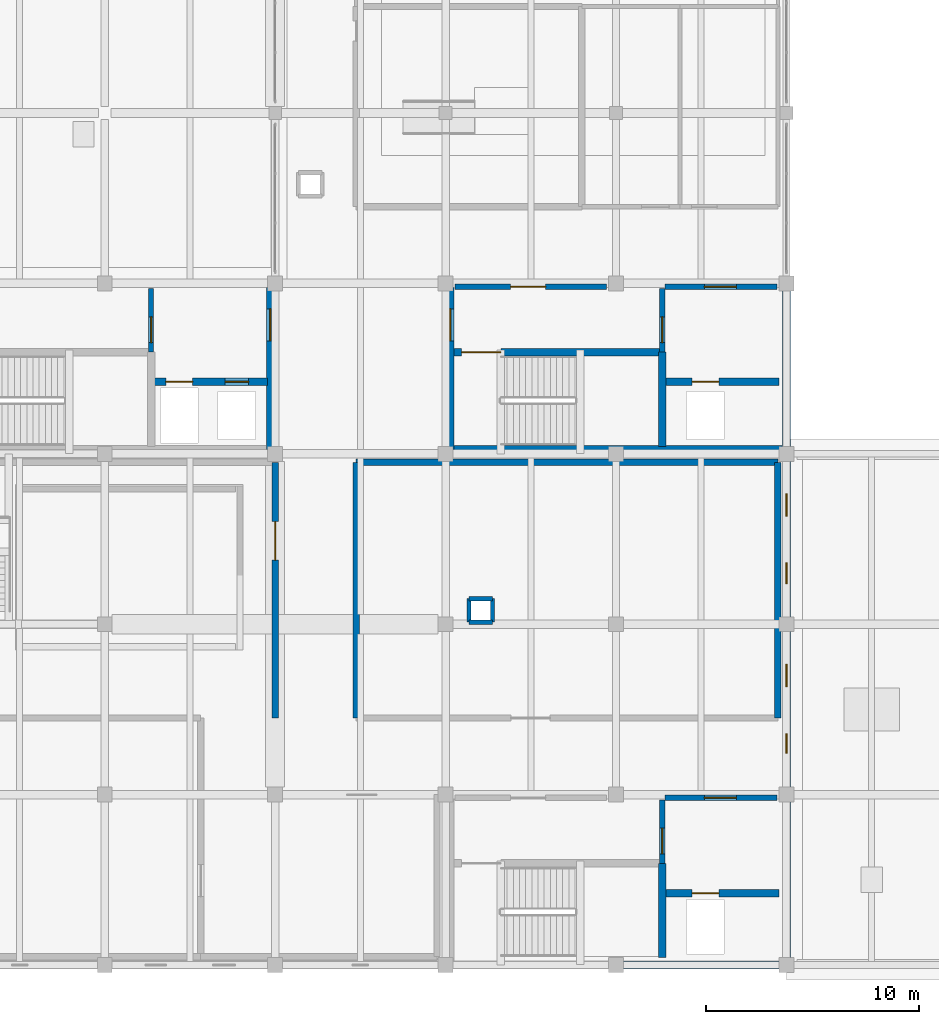
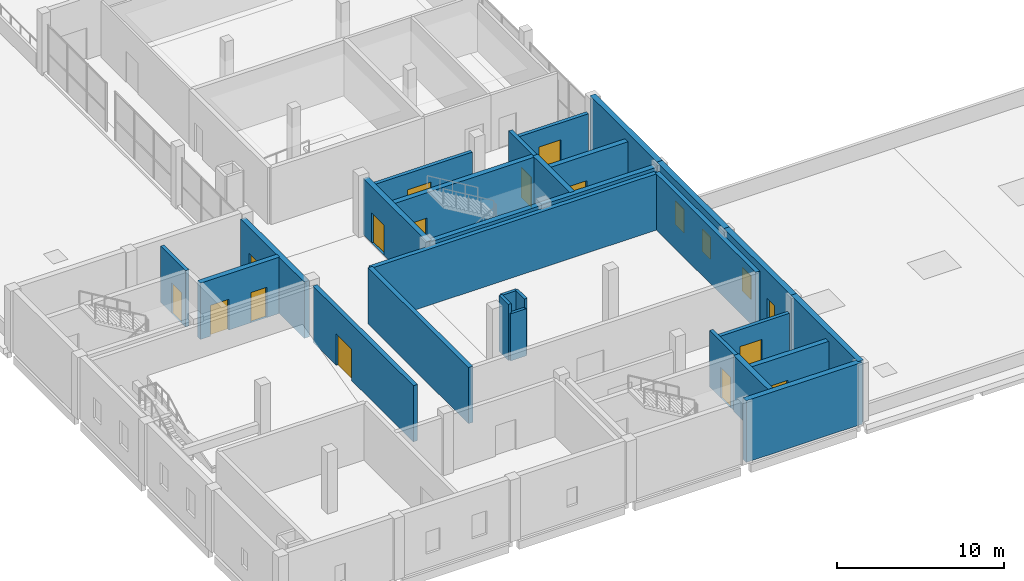
# One storey, part 10 of 14: 28 walls, 14 doors, 4 windows, 18 openings.
"""IFC4 building model written with IfcOpenShell, lengths in metres."""

from ifc_helpers import new_model, si_unit, direction, frame, frame_2d, origin, place, context, subcontext, project, spatial, rectangle, extrude, material, layer, layer_set, type_object, element, fill, save


model = new_model("IFC4")

# Units and contexts
model_context = context("Model", 3, precision=1e-05, world=origin(), true_north=direction((0.0, 1.0)))
body_context = subcontext(model_context, "Body", "Model", "MODEL_VIEW")
ifc_project = project(units=[si_unit("LENGTHUNIT", "METRE"), si_unit("AREAUNIT", "SQUARE_METRE"), si_unit("VOLUMEUNIT", "CUBIC_METRE"), si_unit("PLANEANGLEUNIT", "RADIAN"), si_unit("MASSUNIT", "GRAM", prefix="KILO")], contexts=[model_context])

# Site, building, storey
site_placement = place(None, origin())
site = spatial("IfcSite", under=ifc_project, at=site_placement, CompositionType="ELEMENT")
building_placement = place(site_placement, origin())
building = spatial("IfcBuilding", under=site, at=building_placement, Name="Qorikala Patio Media Centre", CompositionType="ELEMENT")
storey_placement = place(building_placement, frame((0.0, 0.0, 23.39990234375)))
storey = spatial("IfcBuildingStorey", under=building, at=storey_placement, Name="L05", CompositionType="ELEMENT", Elevation=23.39990234375)

# Wall, opening, door
ifc_material_1 = material(Name="Concrete C35/45", Category="concrete")
ifc_layer_1 = layer(ifc_material_1, 0.300048828125)
ifc_layer_set_1 = layer_set([ifc_layer_1], Name="Concrete C35/45")
wall_type_1 = type_object("IfcWallType", Name="WL-AC-300", PredefinedType="SHEAR", material=ifc_layer_set_1)
wall_1_placement = place(storey_placement, frame((19.0, 14.60009765625, 0.0), z_axis=(0.0, 0.0, 1.0), x_axis=(0.0, 1.0, 0.0)))
wall_1 = element("IfcWall", 1, at=wall_1_placement, inside=storey, type_object=wall_type_1, Name="L05 Interior Wall WINT-L05-SCR7-E", PredefinedType="SHEAR", context=body_context, shape_type="SweptSolid", body=[
    extrude(rectangle(XDim=12.0, YDim=0.300048828125, at=frame_2d((6.0, 0.0))), origin(), (0.0, 0.0, 1.0), 4.10009765625),
])
opening_1_placement = place(wall_1_placement, frame((7.4130859375, 0.0, 0.0)))
opening_1 = element("IfcOpeningElement", 2, at=opening_1_placement, cuts=wall_1, Name="Opening D314", PredefinedType="OPENING", context=body_context, shape_type="SweptSolid", body=[
    extrude(rectangle(XDim=1.800048828125, YDim=2.300048828125, at=frame_2d((0.89990234375, 1.14990234375))), frame((0.0, 0.159912109375, 0.0), z_axis=(0.0, -1.0, 0.0), x_axis=(1.0, 0.0, 0.0)), (0.0, 0.0, 1.0), 0.320068359375),
])
ifc_material_2 = material(Name="Powder-Coated Acoustic Fire Steel", Category="steel")
door_type_1 = type_object("IfcDoorType", Name="DR-FD90-180X230", OperationType="DOUBLE_DOOR_SINGLE_SWING", PredefinedType="DOOR", material=ifc_material_2)
door_1_placement = place(opening_1_placement, origin())
door_1 = element("IfcDoor", 3, at=door_1_placement, inside=storey, type_object=door_type_1, Name="Premiere Cinema Hall Screen 7 Door 103", OperationType="DOUBLE_DOOR_SINGLE_SWING", OverallHeight=2.300048828125, OverallWidth=1.800048828125, PredefinedType="DOOR", context=body_context, shape_type="SweptSolid", body=[
    extrude(rectangle(XDim=1.800048828125, YDim=2.300048828125, at=frame_2d((0.89990234375, 1.14990234375))), frame((0.0, 0.02490234375, 0.0), z_axis=(0.0, -1.0, 0.0), x_axis=(1.0, 0.0, 0.0)), (0.0, 0.0, 1.0), 0.050048828125),
])
fill(opening_1, door_1)

# Walls
wall_2_placement = place(storey_placement, frame((42.60009765625, 14.60009765625, 0.0), z_axis=(0.0, 0.0, 1.0), x_axis=(0.0, 1.0, 0.0)))
element("IfcWall", 4, at=wall_2_placement, inside=storey, type_object=wall_type_1, Name="L05 Interior Wall WINT-L05-PRJ5-E", PredefinedType="SHEAR", context=body_context, shape_type="SweptSolid", body=[
    extrude(rectangle(XDim=12.0, YDim=0.300048828125, at=frame_2d((6.0, 0.0))), origin(), (0.0, 0.0, 1.0), 4.10009765625),
])
wall_3_placement = place(storey_placement, frame((22.800048828125, 26.60009765625, 0.0), z_axis=(0.0, 0.0, 1.0), x_axis=(1.0, 0.0, 0.0)))
element("IfcWall", 5, at=wall_3_placement, inside=storey, type_object=wall_type_1, Name="L05 Interior Wall WINT-L05-PRJ5-N", PredefinedType="SHEAR", context=body_context, shape_type="SweptSolid", body=[
    extrude(rectangle(XDim=19.800048828125, YDim=0.300048828125, at=frame_2d((9.89990234375, 0.0))), origin(), (0.0, 0.0, 1.0), 4.10009765625),
])
wall_4_placement = place(storey_placement, frame((22.800048828125, 14.60009765625, 0.0), z_axis=(0.0, 0.0, 1.0), x_axis=(0.0, 1.0, 0.0)))
element("IfcWall", 6, at=wall_4_placement, inside=storey, type_object=wall_type_1, Name="L05 Interior Wall WINT-L05-PRJ5-W", PredefinedType="SHEAR", context=body_context, shape_type="SweptSolid", body=[
    extrude(rectangle(XDim=12.0, YDim=0.300048828125, at=frame_2d((6.0, 0.0))), origin(), (0.0, 0.0, 1.0), 4.10009765625),
])
ifc_layer_2 = layer(ifc_material_1, 0.35009765625)
ifc_layer_set_2 = layer_set([ifc_layer_2], Name="Concrete C35/45")
wall_type_2 = type_object("IfcWallType", Name="WL-CORE-350", PredefinedType="SHEAR", material=ifc_layer_set_2)
wall_5_placement = place(storey_placement, frame((37.175048828125, 3.35009765625, 0.0), z_axis=(0.0, 0.0, 1.0), x_axis=(0.0, 1.0, 0.0)))
element("IfcWall", 7, at=wall_5_placement, inside=storey, type_object=wall_type_2, Name="L05 Interior Wall CW-L05-C1-SE", PredefinedType="SHEAR", context=body_context, shape_type="SweptSolid", body=[
    extrude(rectangle(XDim=4.4248046875, YDim=0.35009765625, at=frame_2d((2.21240234375, 0.0))), origin(), (0.0, 0.0, 1.0), 4.10009765625),
])

# Wall, opening, door
wall_6_placement = place(storey_placement, frame((37.175048828125, 6.375, 0.0), z_axis=(0.0, 0.0, 1.0), x_axis=(1.0, 0.0, 0.0)))
wall_6 = element("IfcWall", 8, at=wall_6_placement, inside=storey, type_object=wall_type_2, Name="L05 Interior Wall CW-L05-C1-LFN", PredefinedType="SHEAR", context=body_context, shape_type="SweptSolid", body=[
    extrude(rectangle(XDim=5.474853515625, YDim=0.35009765625, at=frame_2d((2.7373046875, 0.0))), origin(), (0.0, 0.0, 1.0), 4.10009765625),
])
opening_2_placement = place(wall_6_placement, frame((1.39990234375, 0.0, 0.0)))
opening_2 = element("IfcOpeningElement", 9, at=opening_2_placement, cuts=wall_6, Name="Opening LD07", PredefinedType="OPENING", context=body_context, shape_type="SweptSolid", body=[
    extrude(rectangle(XDim=1.25, YDim=2.25, at=frame_2d((0.625, 1.125))), frame((0.0, 0.18505859375, 0.0), z_axis=(0.0, -1.0, 0.0), x_axis=(1.0, 0.0, 0.0)), (0.0, 0.0, 1.0), 0.3701171875),
])
ifc_material_3 = material(Name="Brushed Bronze Stainless Steel", Category="steel")
door_type_2 = type_object("IfcDoorType", Name="DR-LD-125X225", OperationType="DOUBLE_DOOR_SLIDING", PredefinedType="DOOR", material=ifc_material_3)
door_2_placement = place(opening_2_placement, origin())
door_2 = element("IfcDoor", 10, at=door_2_placement, inside=storey, type_object=door_type_2, Name="L05 Lift LF-01 Sliding Landing Door", OperationType="DOUBLE_DOOR_SLIDING", OverallHeight=2.25, OverallWidth=1.25, PredefinedType="DOOR", context=body_context, shape_type="SweptSolid", body=[
    extrude(rectangle(XDim=1.25, YDim=2.25, at=frame_2d((0.625, 1.125))), frame((0.0, 0.02490234375, 0.0), z_axis=(0.0, -1.0, 0.0), x_axis=(1.0, 0.0, 0.0)), (0.0, 0.0, 1.0), 0.050048828125),
])
fill(opening_2, door_2)

wall_7_placement = place(storey_placement, frame((18.77490234375, 27.199951171875, 0.0), z_axis=(0.0, 0.0, 1.0), x_axis=(0.0, 1.0, 0.0)))
wall_7 = element("IfcWall", 11, at=wall_7_placement, inside=storey, type_object=wall_type_2, Name="L05 Interior Wall CW-L05-C2-EE", PredefinedType="SHEAR", context=body_context, shape_type="SweptSolid", body=[
    extrude(rectangle(XDim=7.60009765625, YDim=0.35009765625, at=frame_2d((3.800048828125, 0.0))), origin(), (0.0, 0.0, 1.0), 4.10009765625),
])
opening_3_placement = place(wall_7_placement, frame((5.10009765625, 0.0, 0.0)))
opening_3 = element("IfcOpeningElement", 12, at=opening_3_placement, cuts=wall_7, Name="Opening D087", PredefinedType="OPENING", context=body_context, shape_type="SweptSolid", body=[
    extrude(rectangle(XDim=1.5, YDim=2.199951171875, at=frame_2d((0.75, 1.10009765625))), frame((0.0, 0.18505859375, 0.0), z_axis=(0.0, -1.0, 0.0), x_axis=(1.0, 0.0, 0.0)), (0.0, 0.0, 1.0), 0.3701171875),
])
door_type_3 = type_object("IfcDoorType", Name="DR-FD60-150X220", OperationType="DOUBLE_DOOR_SINGLE_SWING", PredefinedType="DOOR", material=ifc_material_2)
door_3_placement = place(opening_3_placement, origin())
door_3 = element("IfcDoor", 13, at=door_3_placement, inside=storey, type_object=door_type_3, Name="L05 Core C2 East Corridor Fire Door", OperationType="DOUBLE_DOOR_SINGLE_SWING", OverallHeight=2.199951171875, OverallWidth=1.5, PredefinedType="DOOR", context=body_context, shape_type="SweptSolid", body=[
    extrude(rectangle(XDim=1.5, YDim=2.199951171875, at=frame_2d((0.75, 1.10009765625))), frame((0.0, 0.02490234375, 0.0), z_axis=(0.0, -1.0, 0.0), x_axis=(1.0, 0.0, 0.0)), (0.0, 0.0, 1.0), 0.050048828125),
])
fill(opening_3, door_3)

# Wall, openings, doors
wall_8_placement = place(storey_placement, frame((13.175048828125, 30.375, 0.0), z_axis=(0.0, 0.0, 1.0), x_axis=(1.0, 0.0, 0.0)))
wall_8 = element("IfcWall", 14, at=wall_8_placement, inside=storey, type_object=wall_type_2, Name="L05 Interior Wall CW-L05-C2-LFN", PredefinedType="SHEAR", context=body_context, shape_type="SweptSolid", body=[
    extrude(rectangle(XDim=5.474853515625, YDim=0.35009765625, at=frame_2d((2.7373046875, 0.0))), origin(), (0.0, 0.0, 1.0), 4.10009765625),
])
opening_4_placement = place(wall_8_placement, frame((0.699951171875, 0.0, 0.0)))
opening_4 = element("IfcOpeningElement", 15, at=opening_4_placement, cuts=wall_8, Name="Opening LD20", PredefinedType="OPENING", context=body_context, shape_type="SweptSolid", body=[
    extrude(rectangle(XDim=1.25, YDim=2.25, at=frame_2d((0.625, 1.125))), frame((0.0, 0.18505859375, 0.0), z_axis=(0.0, -1.0, 0.0), x_axis=(1.0, 0.0, 0.0)), (0.0, 0.0, 1.0), 0.3701171875),
])
opening_5_placement = place(wall_8_placement, frame((3.47509765625, 0.0, 0.0)))
opening_5 = element("IfcOpeningElement", 16, at=opening_5_placement, cuts=wall_8, Name="Opening LD21", PredefinedType="OPENING", context=body_context, shape_type="SweptSolid", body=[
    extrude(rectangle(XDim=1.10009765625, YDim=2.199951171875, at=frame_2d((0.550048828125, 1.10009765625))), frame((0.0, 0.18505859375, 0.0), z_axis=(0.0, -1.0, 0.0), x_axis=(1.0, 0.0, 0.0)), (0.0, 0.0, 1.0), 0.3701171875),
])
door_type_4 = type_object("IfcDoorType", Name="DR-LD-110X220", OperationType="DOUBLE_DOOR_SLIDING", PredefinedType="DOOR", material=ifc_material_3)
door_4_placement = place(opening_5_placement, origin())
door_4 = element("IfcDoor", 17, at=door_4_placement, inside=storey, type_object=door_type_4, Name="L05 Lift LP-04 Sliding Landing Door", OperationType="DOUBLE_DOOR_SLIDING", OverallHeight=2.199951171875, OverallWidth=1.10009765625, PredefinedType="DOOR", context=body_context, shape_type="SweptSolid", body=[
    extrude(rectangle(XDim=1.10009765625, YDim=2.199951171875, at=frame_2d((0.550048828125, 1.10009765625))), frame((0.0, 0.02490234375, 0.0), z_axis=(0.0, -1.0, 0.0), x_axis=(1.0, 0.0, 0.0)), (0.0, 0.0, 1.0), 0.050048828125),
])
fill(opening_5, door_4)
door_5_placement = place(opening_4_placement, origin())
door_5 = element("IfcDoor", 18, at=door_5_placement, inside=storey, type_object=door_type_2, Name="L05 Lift LF-02 Sliding Landing Door", OperationType="DOUBLE_DOOR_SLIDING", OverallHeight=2.25, OverallWidth=1.25, PredefinedType="DOOR", context=body_context, shape_type="SweptSolid", body=[
    extrude(rectangle(XDim=1.25, YDim=2.25, at=frame_2d((0.625, 1.125))), frame((0.0, 0.02490234375, 0.0), z_axis=(0.0, -1.0, 0.0), x_axis=(1.0, 0.0, 0.0)), (0.0, 0.0, 1.0), 0.050048828125),
])
fill(opening_4, door_5)

# Wall
wall_9_placement = place(storey_placement, frame((27.199951171875, 27.22509765625, 0.0), z_axis=(0.0, 0.0, 1.0), x_axis=(1.0, 0.0, 0.0)))
element("IfcWall", 19, at=wall_9_placement, inside=storey, type_object=wall_type_2, Name="L05 Core C5 Stair South Wall", PredefinedType="SHEAR", context=body_context, shape_type="SweptSolid", body=[
    extrude(rectangle(XDim=15.60009765625, YDim=0.35009765625, at=frame_2d((7.800048828125, 0.0))), origin(), (0.0, 0.0, 1.0), 4.10009765625),
])

# Wall, opening, door
wall_10_placement = place(storey_placement, frame((27.22509765625, 27.199951171875, 0.0), z_axis=(0.0, 0.0, 1.0), x_axis=(0.0, 1.0, 0.0)))
wall_10 = element("IfcWall", 20, at=wall_10_placement, inside=storey, type_object=wall_type_2, Name="L05 Interior Wall CW-L05-C5-SW", PredefinedType="SHEAR", context=body_context, shape_type="SweptSolid", body=[
    extrude(rectangle(XDim=7.60009765625, YDim=0.35009765625, at=frame_2d((3.800048828125, 0.0))), origin(), (0.0, 0.0, 1.0), 4.10009765625),
])
opening_6_placement = place(wall_10_placement, frame((5.10009765625, 0.0, 0.0)))
opening_6 = element("IfcOpeningElement", 21, at=opening_6_placement, cuts=wall_10, Name="Opening D171", PredefinedType="OPENING", context=body_context, shape_type="SweptSolid", body=[
    extrude(rectangle(XDim=1.5, YDim=2.199951171875, at=frame_2d((0.75, 1.10009765625))), frame((0.0, 0.18505859375, 0.0), z_axis=(0.0, -1.0, 0.0), x_axis=(1.0, 0.0, 0.0)), (0.0, 0.0, 1.0), 0.3701171875),
])
door_6_placement = place(opening_6_placement, origin())
door_6 = element("IfcDoor", 22, at=door_6_placement, inside=storey, type_object=door_type_3, Name="L05 Core C5 West Corridor Fire Door", OperationType="DOUBLE_DOOR_SINGLE_SWING", OverallHeight=2.199951171875, OverallWidth=1.5, PredefinedType="DOOR", context=body_context, shape_type="SweptSolid", body=[
    extrude(rectangle(XDim=1.5, YDim=2.199951171875, at=frame_2d((0.75, 1.10009765625))), frame((0.0, 0.02490234375, 0.0), z_axis=(0.0, -1.0, 0.0), x_axis=(1.0, 0.0, 0.0)), (0.0, 0.0, 1.0), 0.050048828125),
])
fill(opening_6, door_6)

# Wall
wall_11_placement = place(storey_placement, frame((37.175048828125, 27.35009765625, 0.0), z_axis=(0.0, 0.0, 1.0), x_axis=(0.0, 1.0, 0.0)))
element("IfcWall", 23, at=wall_11_placement, inside=storey, type_object=wall_type_2, Name="L05 Interior Wall CW-L05-C5-SE", PredefinedType="SHEAR", context=body_context, shape_type="SweptSolid", body=[
    extrude(rectangle(XDim=4.4248046875, YDim=0.35009765625, at=frame_2d((2.21240234375, 0.0))), origin(), (0.0, 0.0, 1.0), 4.10009765625),
])

# Wall, opening, door
wall_12_placement = place(storey_placement, frame((27.35009765625, 31.77490234375, 0.0), z_axis=(0.0, 0.0, 1.0), x_axis=(1.0, 0.0, 0.0)))
wall_12 = element("IfcWall", 24, at=wall_12_placement, inside=storey, type_object=wall_type_2, Name="L05 Interior Wall CW-L05-C5-SN", PredefinedType="SHEAR", context=body_context, shape_type="SweptSolid", body=[
    extrude(rectangle(XDim=9.824951171875, YDim=0.35009765625, at=frame_2d((4.91259765625, 0.0))), origin(), (0.0, 0.0, 1.0), 4.10009765625),
])
opening_7_placement = place(wall_12_placement, frame((0.39990234375, 0.0, 0.0)))
opening_7 = element("IfcOpeningElement", 25, at=opening_7_placement, cuts=wall_12, Name="Opening D167", PredefinedType="OPENING", context=body_context, shape_type="SweptSolid", body=[
    extrude(rectangle(XDim=1.85009765625, YDim=2.25, at=frame_2d((0.925048828125, 1.125))), frame((0.0, 0.18505859375, 0.0), z_axis=(0.0, -1.0, 0.0), x_axis=(1.0, 0.0, 0.0)), (0.0, 0.0, 1.0), 0.3701171875),
])
door_type_5 = type_object("IfcDoorType", Name="DR-FD60-185X225", OperationType="DOUBLE_DOOR_SINGLE_SWING", PredefinedType="DOOR", material=ifc_material_2)
door_7_placement = place(opening_7_placement, origin())
door_7 = element("IfcDoor", 26, at=door_7_placement, inside=storey, type_object=door_type_5, Name="L05 Stair ST-5 Fire Door", OperationType="DOUBLE_DOOR_SINGLE_SWING", OverallHeight=2.25, OverallWidth=1.85009765625, PredefinedType="DOOR", context=body_context, shape_type="SweptSolid", body=[
    extrude(rectangle(XDim=1.85009765625, YDim=2.25, at=frame_2d((0.925048828125, 1.125))), frame((0.0, 0.02490234375, 0.0), z_axis=(0.0, -1.0, 0.0), x_axis=(1.0, 0.0, 0.0)), (0.0, 0.0, 1.0), 0.050048828125),
])
fill(opening_7, door_7)

wall_13_placement = place(storey_placement, frame((37.175048828125, 30.375, 0.0), z_axis=(0.0, 0.0, 1.0), x_axis=(1.0, 0.0, 0.0)))
wall_13 = element("IfcWall", 27, at=wall_13_placement, inside=storey, type_object=wall_type_2, Name="L05 Interior Wall CW-L05-C5-LFN", PredefinedType="SHEAR", context=body_context, shape_type="SweptSolid", body=[
    extrude(rectangle(XDim=5.474853515625, YDim=0.35009765625, at=frame_2d((2.7373046875, 0.0))), origin(), (0.0, 0.0, 1.0), 4.10009765625),
])
opening_8_placement = place(wall_13_placement, frame((1.39990234375, 0.0, 0.0)))
opening_8 = element("IfcOpeningElement", 28, at=opening_8_placement, cuts=wall_13, Name="Opening LD46", PredefinedType="OPENING", context=body_context, shape_type="SweptSolid", body=[
    extrude(rectangle(XDim=1.25, YDim=2.25, at=frame_2d((0.625, 1.125))), frame((0.0, 0.18505859375, 0.0), z_axis=(0.0, -1.0, 0.0), x_axis=(1.0, 0.0, 0.0)), (0.0, 0.0, 1.0), 0.3701171875),
])
door_8_placement = place(opening_8_placement, origin())
door_8 = element("IfcDoor", 29, at=door_8_placement, inside=storey, type_object=door_type_2, Name="L05 Lift LP-03 Sliding Landing Door", OperationType="DOUBLE_DOOR_SLIDING", OverallHeight=2.25, OverallWidth=1.25, PredefinedType="DOOR", context=body_context, shape_type="SweptSolid", body=[
    extrude(rectangle(XDim=1.25, YDim=2.25, at=frame_2d((0.625, 1.125))), frame((0.0, 0.02490234375, 0.0), z_axis=(0.0, -1.0, 0.0), x_axis=(1.0, 0.0, 0.0)), (0.0, 0.0, 1.0), 0.050048828125),
])
fill(opening_8, door_8)

ifc_layer_3 = layer(ifc_material_1, 0.25)
ifc_layer_set_3 = layer_set([ifc_layer_3], Name="Concrete C35/45")
wall_type_3 = type_object("IfcWallType", Name="WL-FFL-250", PredefinedType="PARTITIONING", material=ifc_layer_set_3)
wall_14_placement = place(storey_placement, frame((37.175048828125, 7.77490234375, 0.0), z_axis=(0.0, 0.0, 1.0), x_axis=(0.0, 1.0, 0.0)))
wall_14 = element("IfcWall", 30, at=wall_14_placement, inside=storey, type_object=wall_type_3, Name="L05 Interior Wall CW-L05-C1-LBD", PredefinedType="PARTITIONING", context=body_context, shape_type="SweptSolid", body=[
    extrude(rectangle(XDim=2.97509765625, YDim=0.25, at=frame_2d((1.487548828125, 0.0))), origin(), (0.0, 0.0, 1.0), 4.10009765625),
])
opening_9_placement = place(wall_14_placement, frame((0.449951171875, 0.0, 0.0)))
opening_9 = element("IfcOpeningElement", 31, at=opening_9_placement, cuts=wall_14, Name="Opening D048", PredefinedType="OPENING", context=body_context, shape_type="SweptSolid", body=[
    extrude(rectangle(XDim=1.199951171875, YDim=2.199951171875, at=frame_2d((0.60009765625, 1.10009765625))), frame((0.0, 0.135009765625, 0.0), z_axis=(0.0, -1.0, 0.0), x_axis=(1.0, 0.0, 0.0)), (0.0, 0.0, 1.0), 0.27001953125),
])
ifc_material_4 = material(Name="Acoustic Fire Timber and Steel", Category="steel")
door_type_6 = type_object("IfcDoorType", Name="DR-FD60-120X220", OperationType="NOTDEFINED", PredefinedType="DOOR", material=ifc_material_4)
door_9_placement = place(opening_9_placement, origin())
door_9 = element("IfcDoor", 32, at=door_9_placement, inside=storey, type_object=door_type_6, Name="L05 Core C1 Firefighting Lobby Cross Door", OperationType="SINGLE_SWING_LEFT", OverallHeight=2.199951171875, OverallWidth=1.199951171875, PredefinedType="DOOR", context=body_context, shape_type="SweptSolid", body=[
    extrude(rectangle(XDim=1.199951171875, YDim=2.199951171875, at=frame_2d((0.60009765625, 1.10009765625))), frame((0.0, 0.02490234375, 0.0), z_axis=(0.0, -1.0, 0.0), x_axis=(1.0, 0.0, 0.0)), (0.0, 0.0, 1.0), 0.050048828125),
])
fill(opening_9, door_9)

wall_15_placement = place(storey_placement, frame((37.300048828125, 10.85009765625, 0.0), z_axis=(0.0, 0.0, 1.0), x_axis=(1.0, 0.0, 0.0)))
wall_15 = element("IfcWall", 33, at=wall_15_placement, inside=storey, type_object=wall_type_3, Name="L05 Interior Wall CW-L05-C1-CN2", PredefinedType="PARTITIONING", context=body_context, shape_type="SweptSolid", body=[
    extrude(rectangle(XDim=5.25, YDim=0.25, at=frame_2d((2.625, 0.0))), origin(), (0.0, 0.0, 1.0), 3.43505859375),
])
opening_10_placement = place(wall_15_placement, frame((1.85009765625, 0.0, 0.0)))
opening_10 = element("IfcOpeningElement", 34, at=opening_10_placement, cuts=wall_15, Name="Opening D050", PredefinedType="OPENING", context=body_context, shape_type="SweptSolid", body=[
    extrude(rectangle(XDim=1.5, YDim=2.199951171875, at=frame_2d((0.75, 1.10009765625))), frame((0.0, 0.135009765625, 0.0), z_axis=(0.0, -1.0, 0.0), x_axis=(1.0, 0.0, 0.0)), (0.0, 0.0, 1.0), 0.27001953125),
])
door_10_placement = place(opening_10_placement, origin())
door_10 = element("IfcDoor", 35, at=door_10_placement, inside=storey, type_object=door_type_3, Name="L05 Core C1 Firefighting Lobby Door", OperationType="DOUBLE_DOOR_SINGLE_SWING", OverallHeight=2.199951171875, OverallWidth=1.5, PredefinedType="DOOR", context=body_context, shape_type="SweptSolid", body=[
    extrude(rectangle(XDim=1.5, YDim=2.199951171875, at=frame_2d((0.75, 1.10009765625))), frame((0.0, 0.02490234375, 0.0), z_axis=(0.0, -1.0, 0.0), x_axis=(1.0, 0.0, 0.0)), (0.0, 0.0, 1.0), 0.050048828125),
])
fill(opening_10, door_10)

wall_16_placement = place(storey_placement, frame((13.175048828125, 31.77490234375, 0.0), z_axis=(0.0, 0.0, 1.0), x_axis=(0.0, 1.0, 0.0)))
wall_16 = element("IfcWall", 36, at=wall_16_placement, inside=storey, type_object=wall_type_3, Name="L05 Interior Wall CW-L05-C2-LBD", PredefinedType="PARTITIONING", context=body_context, shape_type="SweptSolid", body=[
    extrude(rectangle(XDim=2.97509765625, YDim=0.25, at=frame_2d((1.487548828125, 0.0))), origin(), (0.0, 0.0, 1.0), 4.10009765625),
])
opening_11_placement = place(wall_16_placement, frame((0.449951171875, 0.0, 0.0)))
opening_11 = element("IfcOpeningElement", 37, at=opening_11_placement, cuts=wall_16, Name="Opening D086", PredefinedType="OPENING", context=body_context, shape_type="SweptSolid", body=[
    extrude(rectangle(XDim=1.199951171875, YDim=2.199951171875, at=frame_2d((0.60009765625, 1.10009765625))), frame((0.0, 0.135009765625, 0.0), z_axis=(0.0, -1.0, 0.0), x_axis=(1.0, 0.0, 0.0)), (0.0, 0.0, 1.0), 0.27001953125),
])
door_11_placement = place(opening_11_placement, origin())
door_11 = element("IfcDoor", 38, at=door_11_placement, inside=storey, type_object=door_type_6, Name="L05 Core C2 Firefighting Lobby Cross Door", OperationType="SINGLE_SWING_LEFT", OverallHeight=2.199951171875, OverallWidth=1.199951171875, PredefinedType="DOOR", context=body_context, shape_type="SweptSolid", body=[
    extrude(rectangle(XDim=1.199951171875, YDim=2.199951171875, at=frame_2d((0.60009765625, 1.10009765625))), frame((0.0, 0.02490234375, 0.0), z_axis=(0.0, -1.0, 0.0), x_axis=(1.0, 0.0, 0.0)), (0.0, 0.0, 1.0), 0.050048828125),
])
fill(opening_11, door_11)

wall_17_placement = place(storey_placement, frame((37.175048828125, 31.77490234375, 0.0), z_axis=(0.0, 0.0, 1.0), x_axis=(0.0, 1.0, 0.0)))
wall_17 = element("IfcWall", 39, at=wall_17_placement, inside=storey, type_object=wall_type_3, Name="L05 Interior Wall CW-L05-C5-LBD", PredefinedType="PARTITIONING", context=body_context, shape_type="SweptSolid", body=[
    extrude(rectangle(XDim=2.97509765625, YDim=0.25, at=frame_2d((1.487548828125, 0.0))), origin(), (0.0, 0.0, 1.0), 4.10009765625),
])
opening_12_placement = place(wall_17_placement, frame((0.449951171875, 0.0, 0.0)))
opening_12 = element("IfcOpeningElement", 40, at=opening_12_placement, cuts=wall_17, Name="Opening D168", PredefinedType="OPENING", context=body_context, shape_type="SweptSolid", body=[
    extrude(rectangle(XDim=1.199951171875, YDim=2.199951171875, at=frame_2d((0.60009765625, 1.10009765625))), frame((0.0, 0.135009765625, 0.0), z_axis=(0.0, -1.0, 0.0), x_axis=(1.0, 0.0, 0.0)), (0.0, 0.0, 1.0), 0.27001953125),
])
door_12_placement = place(opening_12_placement, origin())
door_12 = element("IfcDoor", 41, at=door_12_placement, inside=storey, type_object=door_type_6, Name="L05 Core C5 Firefighting Lobby Cross Door", OperationType="SINGLE_SWING_LEFT", OverallHeight=2.199951171875, OverallWidth=1.199951171875, PredefinedType="DOOR", context=body_context, shape_type="SweptSolid", body=[
    extrude(rectangle(XDim=1.199951171875, YDim=2.199951171875, at=frame_2d((0.60009765625, 1.10009765625))), frame((0.0, 0.02490234375, 0.0), z_axis=(0.0, -1.0, 0.0), x_axis=(1.0, 0.0, 0.0)), (0.0, 0.0, 1.0), 0.050048828125),
])
fill(opening_12, door_12)

wall_18_placement = place(storey_placement, frame((27.449951171875, 34.85009765625, 0.0), z_axis=(0.0, 0.0, 1.0), x_axis=(1.0, 0.0, 0.0)))
wall_18 = element("IfcWall", 42, at=wall_18_placement, inside=storey, type_object=wall_type_3, Name="L05 Interior Wall CW-L05-C5-CN1", PredefinedType="PARTITIONING", context=body_context, shape_type="SweptSolid", body=[
    extrude(rectangle(XDim=7.10009765625, YDim=0.25, at=frame_2d((3.550048828125, 0.0))), origin(), (0.0, 0.0, 1.0), 3.43505859375),
])
opening_13_placement = place(wall_18_placement, frame((2.60009765625, 0.0, 0.0)))
opening_13 = element("IfcOpeningElement", 43, at=opening_13_placement, cuts=wall_18, Name="Opening D169", PredefinedType="OPENING", context=body_context, shape_type="SweptSolid", body=[
    extrude(rectangle(XDim=1.64990234375, YDim=2.25, at=frame_2d((0.824951171875, 1.125))), frame((0.0, 0.135009765625, 0.0), z_axis=(0.0, -1.0, 0.0), x_axis=(1.0, 0.0, 0.0)), (0.0, 0.0, 1.0), 0.27001953125),
])
door_type_7 = type_object("IfcDoorType", Name="DR-FD60-165X225", OperationType="DOUBLE_DOOR_SINGLE_SWING", PredefinedType="DOOR", material=ifc_material_2)
door_13_placement = place(opening_13_placement, frame((1.64990234375, 0.0, 0.0), z_axis=(0.0, 0.0, 1.0), x_axis=(-1.0, 0.0, 0.0)))
door_13 = element("IfcDoor", 44, at=door_13_placement, inside=storey, type_object=door_type_7, Name="L05 Core C5 Vestibule Door", OperationType="DOUBLE_DOOR_SINGLE_SWING", OverallHeight=2.25, OverallWidth=1.64990234375, PredefinedType="DOOR", context=body_context, shape_type="SweptSolid", body=[
    extrude(rectangle(XDim=1.64990234375, YDim=2.25, at=frame_2d((0.824951171875, 1.125))), frame((0.0, 0.02490234375, 0.0), z_axis=(0.0, -1.0, 0.0), x_axis=(1.0, 0.0, 0.0)), (0.0, 0.0, 1.0), 0.050048828125),
])
fill(opening_13, door_13)

wall_19_placement = place(storey_placement, frame((37.300048828125, 34.85009765625, 0.0), z_axis=(0.0, 0.0, 1.0), x_axis=(1.0, 0.0, 0.0)))
wall_19 = element("IfcWall", 45, at=wall_19_placement, inside=storey, type_object=wall_type_3, Name="L05 Interior Wall CW-L05-C5-CN2", PredefinedType="PARTITIONING", context=body_context, shape_type="SweptSolid", body=[
    extrude(rectangle(XDim=5.25, YDim=0.25, at=frame_2d((2.625, 0.0))), origin(), (0.0, 0.0, 1.0), 3.43505859375),
])
opening_14_placement = place(wall_19_placement, frame((1.85009765625, 0.0, 0.0)))
opening_14 = element("IfcOpeningElement", 46, at=opening_14_placement, cuts=wall_19, Name="Opening D170", PredefinedType="OPENING", context=body_context, shape_type="SweptSolid", body=[
    extrude(rectangle(XDim=1.5, YDim=2.199951171875, at=frame_2d((0.75, 1.10009765625))), frame((0.0, 0.135009765625, 0.0), z_axis=(0.0, -1.0, 0.0), x_axis=(1.0, 0.0, 0.0)), (0.0, 0.0, 1.0), 0.27001953125),
])
door_14_placement = place(opening_14_placement, origin())
door_14 = element("IfcDoor", 47, at=door_14_placement, inside=storey, type_object=door_type_3, Name="L05 Core C5 Firefighting Lobby Door", OperationType="DOUBLE_DOOR_SINGLE_SWING", OverallHeight=2.199951171875, OverallWidth=1.5, PredefinedType="DOOR", context=body_context, shape_type="SweptSolid", body=[
    extrude(rectangle(XDim=1.5, YDim=2.199951171875, at=frame_2d((0.75, 1.10009765625))), frame((0.0, 0.02490234375, 0.0), z_axis=(0.0, -1.0, 0.0), x_axis=(1.0, 0.0, 0.0)), (0.0, 0.0, 1.0), 0.050048828125),
])
fill(opening_14, door_14)

# Walls
ifc_material_5 = material(Name="Acoustic Masonry and Plaster Concrete C30/37", Category="masonry")
ifc_layer_4 = layer(ifc_material_5, 0.199951171875)
ifc_layer_set_4 = layer_set([ifc_layer_4], Name="Acoustic Masonry and Plaster Concrete C30/37")
wall_type_4 = type_object("IfcWallType", Name="WL-ST-200", PredefinedType="PARTITIONING", material=ifc_layer_set_4)
wall_20_placement = place(storey_placement, frame((28.10009765625, 19.10009765625, 0.0), z_axis=(0.0, 0.0, 1.0), x_axis=(1.0, 0.0, 0.0)))
element("IfcWall", 48, at=wall_20_placement, inside=storey, type_object=wall_type_4, Name="L05 Interior Wall RSW-4-L05-S", PredefinedType="PARTITIONING", context=body_context, shape_type="SweptSolid", body=[
    extrude(rectangle(XDim=1.099853515625, YDim=0.199951171875, at=frame_2d((0.5498046875, 0.0))), origin(), (0.0, 0.0, 1.0), 3.43505859375),
])
for number, where, z_axis, x_axis, name in (
    (49, (28.10009765625, 20.199951171875, 0.0), (0.0, 0.0, 1.0), (1.0, 0.0, 0.0), "L05 Interior Wall RSW-4-L05-N"),
    (50, (28.10009765625, 19.10009765625, 0.0), (0.0, 0.0, 1.0), (0.0, 1.0, 0.0), "L05 Interior Wall RSW-4-L05-W"),
    (51, (29.199951171875, 19.10009765625, 0.0), (0.0, 0.0, 1.0), (0.0, 1.0, 0.0), "L05 Interior Wall RSW-4-L05-E"),
):
    element("IfcWall", number, at=place(storey_placement, frame(where, z_axis=z_axis, x_axis=x_axis)), inside=storey, type_object=wall_type_4, Name=name, PredefinedType="PARTITIONING", context=body_context, shape_type="SweptSolid", body=[
        extrude(rectangle(XDim=1.099853515625, YDim=0.199951171875, at=frame_2d((0.5498046875, 0.0))), origin(), (0.0, 0.0, 1.0), 4.10009765625),
    ])
ifc_material_6 = material(Name="Comanche Granite and Concrete C35/45", Category="masonry")
ifc_layer_5 = layer(ifc_material_6, 0.3798828125)
ifc_layer_set_5 = layer_set([ifc_layer_5], Name="Comanche Granite and Concrete C35/45")
wall_type_5 = type_object("IfcWallType", Name="WL-STONE-380", PredefinedType="SOLIDWALL", material=ifc_layer_set_5)
wall_21_placement = place(storey_placement, frame((43.0, 35.0, 0.0), z_axis=(0.0, 0.0, 1.0), x_axis=(0.0, -1.0, 0.0)))
element("IfcWall", 52, at=wall_21_placement, inside=storey, type_object=wall_type_5, Name="L05 Core C5 Exterior Shear Wall", PredefinedType="SOLIDWALL", context=body_context, shape_type="SweptSolid", body=[
    extrude(rectangle(XDim=8.0, YDim=0.3798828125, at=frame_2d((4.0, 0.0))), origin(), (0.0, 0.0, 1.0), 4.5),
])

# Wall, openings, windows
wall_22_placement = place(storey_placement, frame((43.0, 27.0, 0.0), z_axis=(0.0, 0.0, 1.0), x_axis=(0.0, -1.0, 0.0)))
wall_22 = element("IfcWall", 53, at=wall_22_placement, inside=storey, type_object=wall_type_5, Name="L05 Exterior Wall WL-L05-EXT-0013", PredefinedType="SOLIDWALL", context=body_context, shape_type="SweptSolid", body=[
    extrude(rectangle(XDim=8.0, YDim=0.3798828125, at=frame_2d((4.0, 0.0))), origin(), (0.0, 0.0, 1.0), 4.5),
])
opening_15_placement = place(wall_22_placement, frame((1.875, 0.0, 1.050048828125)))
opening_15 = element("IfcOpeningElement", 54, at=opening_15_placement, cuts=wall_22, Name="Opening WG-105", PredefinedType="OPENING", context=body_context, shape_type="SweptSolid", body=[
    extrude(rectangle(XDim=1.050048828125, YDim=1.699951171875, at=frame_2d((0.52490234375, 0.85009765625))), frame((0.0, 0.199951171875, 0.0), z_axis=(0.0, -1.0, 0.0), x_axis=(1.0, 0.0, 0.0)), (0.0, 0.0, 1.0), 0.39990234375),
])
opening_16_placement = place(wall_22_placement, frame((5.110107421875, 0.0, 1.050048828125)))
opening_16 = element("IfcOpeningElement", 55, at=opening_16_placement, cuts=wall_22, Name="Opening WG-098", PredefinedType="OPENING", context=body_context, shape_type="SweptSolid", body=[
    extrude(rectangle(XDim=0.97998046875, YDim=1.60009765625, at=frame_2d((0.489990234375, 0.800048828125))), frame((0.0, 0.199951171875, 0.0), z_axis=(0.0, -1.0, 0.0), x_axis=(1.0, 0.0, 0.0)), (0.0, 0.0, 1.0), 0.39990234375),
])
ifc_material_7 = material(Name="Bronze Anodised Aluminium and Low-E Glass", Category="aluminium")
window_type_1 = type_object("IfcWindowType", Name="WN-GRAD-098X160", PartitioningType="SINGLE_PANEL", PredefinedType="WINDOW", material=ifc_material_7)
window_1_placement = place(opening_16_placement, origin())
window_1 = element("IfcWindow", 56, at=window_1_placement, inside=storey, type_object=window_type_1, Name="L05 Graduated Stone Window 0242", OverallHeight=1.60009765625, OverallWidth=0.97998046875, PartitioningType="SINGLE_PANEL", PredefinedType="WINDOW", context=body_context, shape_type="SweptSolid", body=[
    extrude(rectangle(XDim=0.97998046875, YDim=1.60009765625, at=frame_2d((0.489990234375, 0.800048828125))), frame((0.0, 0.030029296875, 0.0), z_axis=(0.0, -1.0, 0.0), x_axis=(1.0, 0.0, 0.0)), (0.0, 0.0, 1.0), 0.06005859375),
])
fill(opening_16, window_1)
window_type_2 = type_object("IfcWindowType", Name="WN-GRAD-105X170", PartitioningType="SINGLE_PANEL", PredefinedType="WINDOW", material=ifc_material_7)
window_2_placement = place(opening_15_placement, origin())
window_2 = element("IfcWindow", 57, at=window_2_placement, inside=storey, type_object=window_type_2, Name="L05 Graduated Stone Window 0241", OverallHeight=1.699951171875, OverallWidth=1.050048828125, PartitioningType="SINGLE_PANEL", PredefinedType="WINDOW", context=body_context, shape_type="SweptSolid", body=[
    extrude(rectangle(XDim=1.050048828125, YDim=1.699951171875, at=frame_2d((0.52490234375, 0.85009765625))), frame((0.0, 0.030029296875, 0.0), z_axis=(0.0, -1.0, 0.0), x_axis=(1.0, 0.0, 0.0)), (0.0, 0.0, 1.0), 0.06005859375),
])
fill(opening_15, window_2)

wall_23_placement = place(storey_placement, frame((43.0, 19.0, 0.0), z_axis=(0.0, 0.0, 1.0), x_axis=(0.0, -1.0, 0.0)))
wall_23 = element("IfcWall", 58, at=wall_23_placement, inside=storey, type_object=wall_type_5, Name="L05 Exterior Wall WL-L05-EXT-0014", PredefinedType="SOLIDWALL", context=body_context, shape_type="SweptSolid", body=[
    extrude(rectangle(XDim=8.0, YDim=0.3798828125, at=frame_2d((4.0, 0.0))), origin(), (0.0, 0.0, 1.0), 4.5),
])
opening_17_placement = place(wall_23_placement, frame((1.875, 0.0, 1.050048828125)))
opening_17 = element("IfcOpeningElement", 59, at=opening_17_placement, cuts=wall_23, Name="Opening WG-105", PredefinedType="OPENING", context=body_context, shape_type="SweptSolid", body=[
    extrude(rectangle(XDim=1.050048828125, YDim=1.699951171875, at=frame_2d((0.52490234375, 0.85009765625))), frame((0.0, 0.199951171875, 0.0), z_axis=(0.0, -1.0, 0.0), x_axis=(1.0, 0.0, 0.0)), (0.0, 0.0, 1.0), 0.39990234375),
])
opening_18_placement = place(wall_23_placement, frame((5.14990234375, 0.0, 1.050048828125)))
opening_18 = element("IfcOpeningElement", 60, at=opening_18_placement, cuts=wall_23, Name="Opening WG-090", PredefinedType="OPENING", context=body_context, shape_type="SweptSolid", body=[
    extrude(rectangle(XDim=0.89990234375, YDim=1.5, at=frame_2d((0.449951171875, 0.75))), frame((0.0, 0.199951171875, 0.0), z_axis=(0.0, -1.0, 0.0), x_axis=(1.0, 0.0, 0.0)), (0.0, 0.0, 1.0), 0.39990234375),
])
window_type_3 = type_object("IfcWindowType", Name="WN-GRAD-090X150", PartitioningType="SINGLE_PANEL", PredefinedType="WINDOW", material=ifc_material_7)
window_3_placement = place(opening_18_placement, origin())
window_3 = element("IfcWindow", 61, at=window_3_placement, inside=storey, type_object=window_type_3, Name="L05 Graduated Stone Window 0244", OverallHeight=1.5, OverallWidth=0.89990234375, PartitioningType="SINGLE_PANEL", PredefinedType="WINDOW", context=body_context, shape_type="SweptSolid", body=[
    extrude(rectangle(XDim=0.89990234375, YDim=1.5, at=frame_2d((0.449951171875, 0.75))), frame((0.0, 0.030029296875, 0.0), z_axis=(0.0, -1.0, 0.0), x_axis=(1.0, 0.0, 0.0)), (0.0, 0.0, 1.0), 0.06005859375),
])
fill(opening_18, window_3)
window_4_placement = place(opening_17_placement, origin())
window_4 = element("IfcWindow", 62, at=window_4_placement, inside=storey, type_object=window_type_2, Name="L05 Graduated Stone Window 0243", OverallHeight=1.699951171875, OverallWidth=1.050048828125, PartitioningType="SINGLE_PANEL", PredefinedType="WINDOW", context=body_context, shape_type="SweptSolid", body=[
    extrude(rectangle(XDim=1.050048828125, YDim=1.699951171875, at=frame_2d((0.52490234375, 0.85009765625))), frame((0.0, 0.030029296875, 0.0), z_axis=(0.0, -1.0, 0.0), x_axis=(1.0, 0.0, 0.0)), (0.0, 0.0, 1.0), 0.06005859375),
])
fill(opening_17, window_4)

# Walls
for number, where, z_axis, x_axis, name in (
    (63, (43.0, 11.0, 0.0), (0.0, 0.0, 1.0), (0.0, -1.0, 0.0), "L05 Core C1 Exterior Shear Wall"),
    (64, (43.0, 3.0, 0.0), (0.0, 0.0, 1.0), (-1.0, 0.0, 0.0), "L05 Core C1 Exterior Shear Wall"),
):
    element("IfcWall", number, at=place(storey_placement, frame(where, z_axis=z_axis, x_axis=x_axis)), inside=storey, type_object=wall_type_5, Name=name, PredefinedType="SOLIDWALL", context=body_context, shape_type="SweptSolid", body=[
        extrude(rectangle(XDim=8.0, YDim=0.3798828125, at=frame_2d((4.0, 0.0))), origin(), (0.0, 0.0, 1.0), 4.5),
    ])

save(model, "model.ifc")
